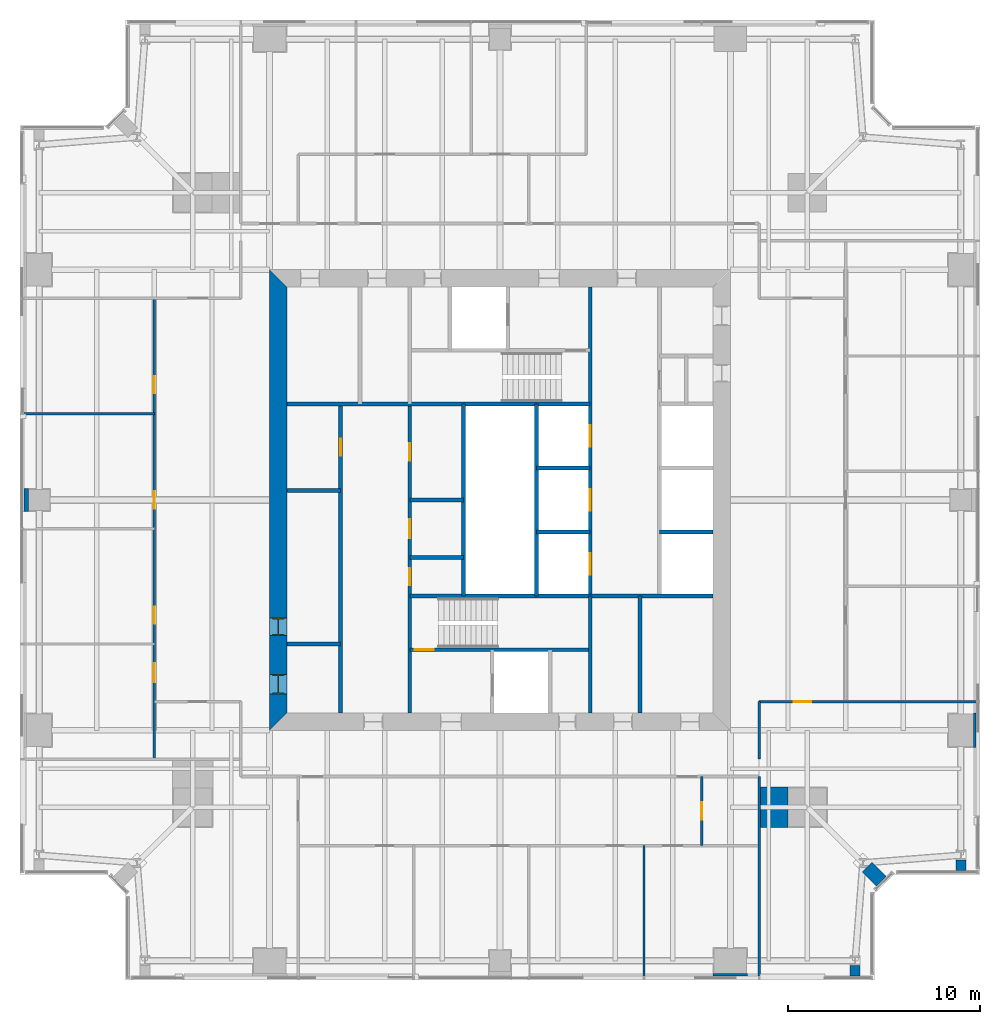
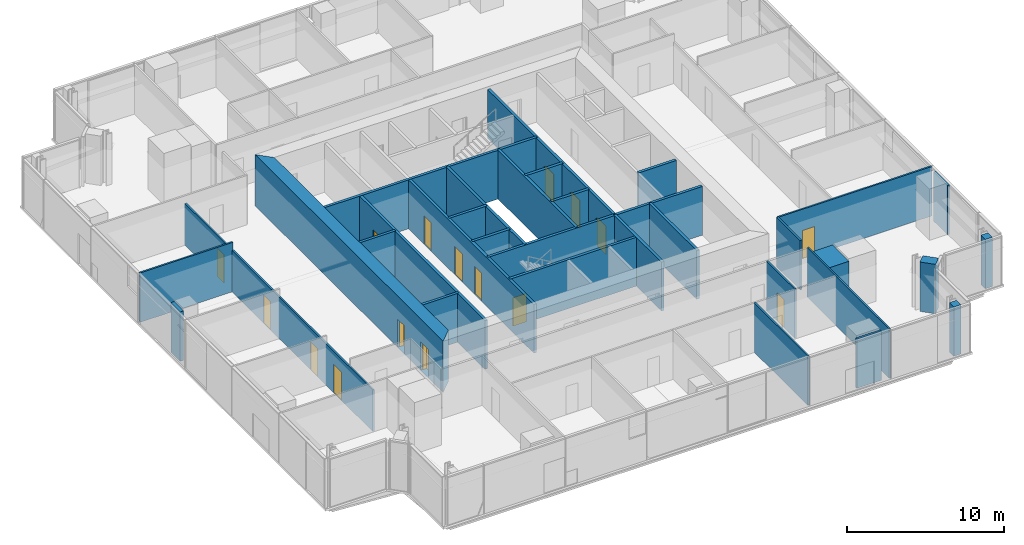
# One storey, part 10 of 14: 32 walls, 16 doors, 16 openings.
"""IFC4 building model written with IfcOpenShell, lengths in metres."""

from ifc_helpers import new_model, si_unit, direction, frame, frame_2d, origin, place, context, subcontext, project, spatial, polyline, rectangle, outline, extrude, material, layer, layer_set, type_object, element, fill, save


model = new_model("IFC4")

# Units and contexts
model_context = context("Model", 3, precision=1e-05, world=origin(), true_north=direction((0.0, 1.0)))
body_context = subcontext(model_context, "Body", "Model", "MODEL_VIEW")
ifc_project = project(units=[si_unit("LENGTHUNIT", "METRE"), si_unit("AREAUNIT", "SQUARE_METRE"), si_unit("VOLUMEUNIT", "CUBIC_METRE"), si_unit("PLANEANGLEUNIT", "RADIAN"), si_unit("MASSUNIT", "GRAM", prefix="KILO")], contexts=[model_context])

# Site, building, storey
site_placement = place(None, origin())
site = spatial("IfcSite", under=ifc_project, at=site_placement, CompositionType="ELEMENT")
building_placement = place(site_placement, origin())
building = spatial("IfcBuilding", under=site, at=building_placement, Name="Fenwick Lantern Interchange", CompositionType="ELEMENT")
storey_placement = place(building_placement, frame((0.0, 0.0, 225.800048828125)))
storey = spatial("IfcBuildingStorey", under=building, at=storey_placement, Name="L53", CompositionType="ELEMENT", Elevation=225.800048828125)

# Walls
ifc_material_1 = material(Name="Fire-rated gypsum board encasement on steel studs, 2 hour", Category="steel")
ifc_layer_1 = layer(ifc_material_1, 1.199951171875)
ifc_layer_set_1 = layer_set([ifc_layer_1], Name="COLUMN PIER 1200")
wall_type_1 = type_object("IfcWallType", Name="COLUMN PIER 1200", PredefinedType="PARTITIONING", material=ifc_layer_set_1)
wall_1_placement = place(storey_placement, frame((0.199951171875, 25.0, 0.0), z_axis=(0.0, 0.0, 1.0), x_axis=(1.0, 0.0, 0.0)))
element("IfcWall", 1, at=wall_1_placement, inside=storey, type_object=wall_type_1, Name="L53/W/PIER/CW3", PredefinedType="PARTITIONING", context=body_context, shape_type="SweptSolid", body=[
    extrude(rectangle(XDim=0.25, YDim=1.199951171875, at=frame_2d((0.125, 0.0))), origin(), (0.0, 0.0, 1.0), 3.849853515625),
])
ifc_layer_2 = layer(ifc_material_1, 1.800048828125)
ifc_layer_set_2 = layer_set([ifc_layer_2], Name="COLUMN PIER 1800")
wall_type_2 = type_object("IfcWallType", Name="COLUMN PIER 1800", PredefinedType="PARTITIONING", material=ifc_layer_set_2)
for number, where, z_axis, x_axis, name in (
    (2, (37.0, 0.199951171875, 0.0), (0.0, 0.0, 1.0), (0.0, 1.0, 0.0), "L53/W/PIER/CS4"),
    (3, (49.800048828125, 13.0, 0.0), (0.0, 0.0, 1.0), (-1.0, 0.0, 0.0), "L53/W/PIER/CE2"),
):
    element("IfcWall", number, at=place(storey_placement, frame(where, z_axis=z_axis, x_axis=x_axis)), inside=storey, type_object=wall_type_2, Name=name, PredefinedType="PARTITIONING", context=body_context, shape_type="SweptSolid", body=[
        extrude(rectangle(XDim=0.150146484375, YDim=1.800048828125, at=frame_2d((0.0751953125, 0.0))), origin(), (0.0, 0.0, 1.0), 3.849853515625),
    ])
ifc_layer_3 = layer(ifc_material_1, 2.10009765625)
ifc_layer_set_3 = layer_set([ifc_layer_3], Name="COLUMN PIER 2100")
wall_type_3 = type_object("IfcWallType", Name="COLUMN PIER 2100", PredefinedType="PARTITIONING", material=ifc_layer_set_3)
wall_2_placement = place(storey_placement, frame((38.5625, 9.0, 0.0), z_axis=(0.0, 0.0, 1.0), x_axis=(1.0, 0.0, 0.0)))
element("IfcWall", 4, at=wall_2_placement, inside=storey, type_object=wall_type_3, Name="L53/W/PIER/M2", PredefinedType="PARTITIONING", context=body_context, shape_type="SweptSolid", body=[
    extrude(rectangle(XDim=1.4375, YDim=2.10009765625, at=frame_2d((0.71875, 0.0))), origin(), (0.0, 0.0, 1.0), 3.849853515625),
])
ifc_layer_4 = layer(ifc_material_1, 0.52392578125)
ifc_layer_set_4 = layer_set([ifc_layer_4], Name="COLUMN PIER 524")
wall_type_4 = type_object("IfcWallType", Name="COLUMN PIER 524", PredefinedType="PARTITIONING", material=ifc_layer_set_4)
for number, where, z_axis, x_axis, name in (
    (5, (43.5, 0.199951171875, 0.0), (0.0, 0.0, 1.0), (0.0, 1.0, 0.0), "L53/W/PIER/CS5"),
    (6, (49.0, 5.699951171875, 0.0), (0.0, 0.0, 1.0), (0.0, 1.0, 0.0), "L53/W/PIER/CE1"),
):
    element("IfcWall", number, at=place(storey_placement, frame(where, z_axis=z_axis, x_axis=x_axis)), inside=storey, type_object=wall_type_4, Name=name, PredefinedType="PARTITIONING", context=body_context, shape_type="SweptSolid", body=[
        extrude(rectangle(XDim=0.5625, YDim=0.52392578125, at=frame_2d((0.28125, 0.0))), origin(), (0.0, 0.0, 1.0), 3.849853515625),
    ])
ifc_layer_5 = layer(ifc_material_1, 0.736083984375)
ifc_layer_set_5 = layer_set([ifc_layer_5], Name="COLUMN PIER 736")
wall_type_5 = type_object("IfcWallType", Name="COLUMN PIER 736", PredefinedType="PARTITIONING", material=ifc_layer_set_5)
wall_3_placement = place(storey_placement, frame((44.858642578125, 5.141357421875, 0.0), z_axis=(0.0, 0.0, 1.0), x_axis=(-0.707106781187, 0.707106781187, 0.0)))
element("IfcWall", 7, at=wall_3_placement, inside=storey, type_object=wall_type_5, Name="L53/W/PIER/CSR", PredefinedType="PARTITIONING", context=body_context, shape_type="SweptSolid", body=[
    extrude(rectangle(XDim=1.037841796875, YDim=0.736083984375, at=frame_2d((0.51904296875, 0.0))), origin(), (0.0, 0.0, 1.0), 3.849853515625),
])

# Wall, opening, door
ifc_material_2 = material(Name="Concrete masonry ASTM C90 Grade N", Category="masonry")
ifc_layer_6 = layer(ifc_material_2, 0.199951171875)
ifc_layer_set_6 = layer_set([ifc_layer_6], Name="Concrete masonry ASTM C90 Grade N")
wall_type_6 = type_object("IfcWallType", Name="CORE PARTITION 200", PredefinedType="PARTITIONING", material=ifc_layer_set_6)
wall_4_placement = place(storey_placement, frame((16.699951171875, 13.89990234375, 0.0), z_axis=(0.0, 0.0, 1.0), x_axis=(0.0, 1.0, 0.0)))
wall_4 = element("IfcWall", 8, at=wall_4_placement, inside=storey, type_object=wall_type_6, Name="L53/W/CORES/a", PredefinedType="PARTITIONING", context=body_context, shape_type="SweptSolid", body=[
    extrude(rectangle(XDim=16.10009765625, YDim=0.199951171875, at=frame_2d((8.050048828125, 0.0))), origin(), (0.0, 0.0, 1.0), 3.800048828125),
])
opening_1_placement = place(wall_4_placement, frame((13.39990234375, 0.0, 0.0)))
opening_1 = element("IfcOpeningElement", 9, at=opening_1_placement, cuts=wall_4, Name="Opening L53-D009", PredefinedType="OPENING", context=body_context, shape_type="SweptSolid", body=[
    extrude(rectangle(XDim=0.89990234375, YDim=2.199951171875, at=frame_2d((0.449951171875, 1.10009765625))), frame((0.0, 0.10986328125, 0.0), z_axis=(0.0, -1.0, 0.0), x_axis=(1.0, 0.0, 0.0)), (0.0, 0.0, 1.0), 0.219970703125),
])
ifc_material_3 = material(Name="Steel door and frame", Category="steel")
door_type_1 = type_object("IfcDoorType", Name="SERVICE DOOR 900 X 2200", OperationType="SINGLE_SWING_LEFT", PredefinedType="DOOR", material=ifc_material_3)
door_1_placement = place(opening_1_placement, origin())
door_1 = element("IfcDoor", 10, at=door_1_placement, inside=storey, type_object=door_type_1, Name="Service door", OperationType="SINGLE_SWING_LEFT", OverallHeight=2.199951171875, OverallWidth=0.89990234375, PredefinedType="DOOR", context=body_context, shape_type="SweptSolid", body=[
    extrude(rectangle(XDim=0.89990234375, YDim=2.199951171875, at=frame_2d((0.449951171875, 1.10009765625))), frame((0.0, 0.02490234375, 0.0), z_axis=(0.0, -1.0, 0.0), x_axis=(1.0, 0.0, 0.0)), (0.0, 0.0, 1.0), 0.050048828125),
])
fill(opening_1, door_1)

# Walls
wall_5_placement = place(storey_placement, frame((23.10009765625, 20.0, 0.0), z_axis=(0.0, 0.0, 1.0), x_axis=(0.0, 1.0, 0.0)))
element("IfcWall", 11, at=wall_5_placement, inside=storey, type_object=wall_type_6, Name="L53/W/CORES/e3", PredefinedType="PARTITIONING", context=body_context, shape_type="SweptSolid", body=[
    extrude(rectangle(XDim=10.0, YDim=0.199951171875, at=frame_2d((5.0, 0.0))), origin(), (0.0, 0.0, 1.0), 3.800048828125),
])
wall_6_placement = place(storey_placement, frame((32.300048828125, 13.89990234375, 0.0), z_axis=(0.0, 0.0, 1.0), x_axis=(0.0, 1.0, 0.0)))
element("IfcWall", 12, at=wall_6_placement, inside=storey, type_object=wall_type_6, Name="L53/W/CORES/i2", PredefinedType="PARTITIONING", context=body_context, shape_type="SweptSolid", body=[
    extrude(rectangle(XDim=6.10009765625, YDim=0.199951171875, at=frame_2d((3.050048828125, 0.0))), origin(), (0.0, 0.0, 1.0), 3.800048828125),
])
for number, where, z_axis, x_axis, name in (
    (13, (13.89990234375, 17.5, 0.0), (0.0, 0.0, 1.0), (1.0, 0.0, 0.0), "L53/W/CORES/p1"),
    (14, (13.89990234375, 25.5, 0.0), (0.0, 0.0, 1.0), (1.0, 0.0, 0.0), "L53/W/CORES/p2"),
    (15, (20.300048828125, 22.0, 0.0), (0.0, 0.0, 1.0), (1.0, 0.0, 0.0), "L53/W/CORES/q1"),
    (16, (20.300048828125, 25.0, 0.0), (0.0, 0.0, 1.0), (1.0, 0.0, 0.0), "L53/W/CORES/q2"),
    (17, (36.10009765625, 23.333251953125, 0.0), (0.0, 0.0, 1.0), (-1.0, 0.0, 0.0), "L53/W/COREN/d2"),
    (18, (29.699951171875, 26.666748046875, 0.0), (0.0, 0.0, 1.0), (-1.0, 0.0, 0.0), "L53/W/COREN/e1"),
    (19, (29.699951171875, 23.333251953125, 0.0), (0.0, 0.0, 1.0), (-1.0, 0.0, 0.0), "L53/W/COREN/e2"),
):
    element("IfcWall", number, at=place(storey_placement, frame(where, z_axis=z_axis, x_axis=x_axis)), inside=storey, type_object=wall_type_6, Name=name, PredefinedType="PARTITIONING", context=body_context, shape_type="SweptSolid", body=[
        extrude(rectangle(XDim=2.800048828125, YDim=0.199951171875, at=frame_2d((1.39990234375, 0.0))), origin(), (0.0, 0.0, 1.0), 3.800048828125),
    ])
wall_7_placement = place(storey_placement, frame((26.89990234375, 30.0, 0.0), z_axis=(0.0, 0.0, 1.0), x_axis=(0.0, -1.0, 0.0)))
element("IfcWall", 20, at=wall_7_placement, inside=storey, type_object=wall_type_6, Name="L53/W/COREN/e3", PredefinedType="PARTITIONING", context=body_context, shape_type="SweptSolid", body=[
    extrude(rectangle(XDim=10.0, YDim=0.199951171875, at=frame_2d((5.0, 0.0))), origin(), (0.0, 0.0, 1.0), 3.800048828125),
])

# Wall, openings, doors
ifc_material_4 = material(Name="Concrete f'c 70 MPa", Category="concrete")
ifc_layer_7 = layer(ifc_material_4, 0.89990234375)
ifc_layer_set_7 = layer_set([ifc_layer_7], Name="CORE WALL 900")
wall_type_7 = type_object("IfcWallType", Name="CORE WALL 900", PredefinedType="SHEAR", material=ifc_layer_set_7)
wall_8_placement = place(storey_placement, frame((13.449951171875, 36.10009765625, 0.0), z_axis=(0.0, 0.0, 1.0), x_axis=(0.0, -1.0, 0.0)))
wall_8 = element("IfcWall", 21, at=wall_8_placement, inside=storey, type_object=wall_type_7, Name="L53/CORE/W", PredefinedType="SHEAR", context=body_context, shape_type="SweptSolid", body=[
    extrude(outline(polyline([(-0.89990234375, -0.449951171875), (23.10009765625, -0.449951171875), (22.199951171875, 0.449951171875), (0.0, 0.449951171875), (-0.89990234375, -0.449951171875)])), origin(), (0.0, 0.0, 1.0), 4.0),
])
opening_2_placement = place(wall_8_placement, frame((20.199951171875, 0.0, 0.0)))
opening_2 = element("IfcOpeningElement", 22, at=opening_2_placement, cuts=wall_8, Name="Opening L53-D007", PredefinedType="OPENING", context=body_context, shape_type="SweptSolid", body=[
    extrude(rectangle(XDim=1.0, YDim=2.199951171875, at=frame_2d((0.5, 1.10009765625))), frame((0.0, 0.4599609375, 0.0), z_axis=(0.0, -1.0, 0.0), x_axis=(1.0, 0.0, 0.0)), (0.0, 0.0, 1.0), 0.919921875),
])
opening_3_placement = place(wall_8_placement, frame((17.25, 0.0, 0.0)))
opening_3 = element("IfcOpeningElement", 23, at=opening_3_placement, cuts=wall_8, Name="Opening L53-D008", PredefinedType="OPENING", context=body_context, shape_type="SweptSolid", body=[
    extrude(rectangle(XDim=0.89990234375, YDim=2.199951171875, at=frame_2d((0.449951171875, 1.10009765625))), frame((0.0, 0.4599609375, 0.0), z_axis=(0.0, -1.0, 0.0), x_axis=(1.0, 0.0, 0.0)), (0.0, 0.0, 1.0), 0.919921875),
])
door_2_placement = place(opening_3_placement, origin())
door_2 = element("IfcDoor", 24, at=door_2_placement, inside=storey, type_object=door_type_1, Name="Service door", OperationType="SINGLE_SWING_RIGHT", OverallHeight=2.199951171875, OverallWidth=0.89990234375, PredefinedType="DOOR", context=body_context, shape_type="SweptSolid", body=[
    extrude(rectangle(XDim=0.89990234375, YDim=2.199951171875, at=frame_2d((0.449951171875, 1.10009765625))), frame((0.0, 0.02490234375, 0.0), z_axis=(0.0, -1.0, 0.0), x_axis=(1.0, 0.0, 0.0)), (0.0, 0.0, 1.0), 0.050048828125),
    extrude(outline(polyline([(0.0, 0.0), (0.0400390625, 0.0), (0.0400390625, 2.159912109375), (0.85986328125, 2.159912109375), (0.85986328125, 0.0), (0.89990234375, 0.0), (0.89990234375, 2.199951171875), (0.0, 2.199951171875), (0.0, 0.0)])), frame((0.0, 0.300048828125, 0.0), z_axis=(0.0, -1.0, 0.0), x_axis=(1.0, 0.0, 0.0)), (0.0, 0.0, 1.0), 0.60009765625),
])
fill(opening_3, door_2)
ifc_material_5 = material(Name="Hardwood door and steel frame", Category="steel")
door_type_2 = type_object("IfcDoorType", Name="WC DOOR 1000 X 2200", OperationType="SINGLE_SWING_LEFT", PredefinedType="DOOR", material=ifc_material_5)
door_3_placement = place(opening_2_placement, origin())
door_3 = element("IfcDoor", 25, at=door_3_placement, inside=storey, type_object=door_type_2, Name="Wc door", OperationType="SINGLE_SWING_RIGHT", OverallHeight=2.199951171875, OverallWidth=1.0, PredefinedType="DOOR", context=body_context, shape_type="SweptSolid", body=[
    extrude(rectangle(XDim=1.0, YDim=2.199951171875, at=frame_2d((0.5, 1.10009765625))), frame((0.0, 0.02490234375, 0.0), z_axis=(0.0, -1.0, 0.0), x_axis=(1.0, 0.0, 0.0)), (0.0, 0.0, 1.0), 0.050048828125),
    extrude(outline(polyline([(0.0, 0.0), (0.0400390625, 0.0), (0.0400390625, 2.159912109375), (0.9599609375, 2.159912109375), (0.9599609375, 0.0), (1.0, 0.0), (1.0, 2.199951171875), (0.0, 2.199951171875), (0.0, 0.0)])), frame((0.0, 0.300048828125, 0.0), z_axis=(0.0, -1.0, 0.0), x_axis=(1.0, 0.0, 0.0)), (0.0, 0.0, 1.0), 0.60009765625),
])
fill(opening_2, door_3)

# Wall
ifc_material_6 = material(Name="Gypsum board on steel studs, acoustic", Category="steel")
ifc_layer_8 = layer(ifc_material_6, 0.125)
ifc_layer_set_8 = layer_set([ifc_layer_8], Name="OFFICE PARTITION 125")
wall_type_8 = type_object("IfcWallType", Name="OFFICE PARTITION 125", PredefinedType="PARTITIONING", material=ifc_layer_set_8)
wall_9_placement = place(storey_placement, frame((32.5, 0.14990234375, 0.0), z_axis=(0.0, 0.0, 1.0), x_axis=(0.0, 1.0, 0.0)))
element("IfcWall", 26, at=wall_9_placement, inside=storey, type_object=wall_type_8, Name="L53/W/OFF/S/X325-1", PredefinedType="PARTITIONING", context=body_context, shape_type="SweptSolid", body=[
    extrude(rectangle(XDim=6.85009765625, YDim=0.125, at=frame_2d((3.425048828125, 0.0))), origin(), (0.0, 0.0, 1.0), 3.849853515625),
])

# Wall, opening, door
wall_10_placement = place(storey_placement, frame((35.5, 7.0, 0.0), z_axis=(0.0, 0.0, 1.0), x_axis=(0.0, 1.0, 0.0)))
wall_10 = element("IfcWall", 27, at=wall_10_placement, inside=storey, type_object=wall_type_8, Name="L53/W/OFF/S/X355-1", PredefinedType="PARTITIONING", context=body_context, shape_type="SweptSolid", body=[
    extrude(rectangle(XDim=3.60009765625, YDim=0.125, at=frame_2d((1.800048828125, 0.0))), origin(), (0.0, 0.0, 1.0), 3.849853515625),
])
opening_4_placement = place(wall_10_placement, frame((1.35009765625, 0.0, 0.0)))
opening_4 = element("IfcOpeningElement", 28, at=opening_4_placement, cuts=wall_10, Name="Opening L53-D029", PredefinedType="OPENING", context=body_context, shape_type="SweptSolid", body=[
    extrude(rectangle(XDim=0.89990234375, YDim=2.199951171875, at=frame_2d((0.449951171875, 1.10009765625))), frame((0.0, 0.072509765625, 0.0), z_axis=(0.0, -1.0, 0.0), x_axis=(1.0, 0.0, 0.0)), (0.0, 0.0, 1.0), 0.14501953125),
])
door_type_3 = type_object("IfcDoorType", Name="OFFICE DOOR 900 X 2200", OperationType="SINGLE_SWING_LEFT", PredefinedType="DOOR", material=ifc_material_5)
door_4_placement = place(opening_4_placement, frame((0.89990234375, 0.0, 0.0), z_axis=(0.0, 0.0, 1.0), x_axis=(-1.0, 0.0, 0.0)))
door_4 = element("IfcDoor", 29, at=door_4_placement, inside=storey, type_object=door_type_3, Name="Office door", OperationType="SINGLE_SWING_RIGHT", OverallHeight=2.199951171875, OverallWidth=0.89990234375, PredefinedType="DOOR", context=body_context, shape_type="SweptSolid", body=[
    extrude(rectangle(XDim=0.89990234375, YDim=2.199951171875, at=frame_2d((0.449951171875, 1.10009765625))), frame((0.0, 0.02490234375, 0.0), z_axis=(0.0, -1.0, 0.0), x_axis=(1.0, 0.0, 0.0)), (0.0, 0.0, 1.0), 0.050048828125),
])
fill(opening_4, door_4)

# Wall
wall_11_placement = place(storey_placement, frame((38.5, 0.14990234375, 0.0), z_axis=(0.0, 0.0, 1.0), x_axis=(0.0, 1.0, 0.0)))
element("IfcWall", 30, at=wall_11_placement, inside=storey, type_object=wall_type_8, Name="L53/W/OFF/E/BACK", PredefinedType="PARTITIONING", context=body_context, shape_type="SweptSolid", body=[
    extrude(rectangle(XDim=10.4501953125, YDim=0.125, at=frame_2d((5.22509765625, 0.0))), origin(), (0.0, 0.0, 1.0), 3.849853515625),
])

# Wall, opening, door
wall_12_placement = place(storey_placement, frame((49.85009765625, 14.5, 0.0), z_axis=(0.0, 0.0, 1.0), x_axis=(-1.0, 0.0, 0.0)))
wall_12 = element("IfcWall", 31, at=wall_12_placement, inside=storey, type_object=wall_type_8, Name="L53/W/OFF/E/X145-1", PredefinedType="PARTITIONING", context=body_context, shape_type="SweptSolid", body=[
    extrude(rectangle(XDim=11.35009765625, YDim=0.125, at=frame_2d((5.675048828125, 0.0))), origin(), (0.0, 0.0, 1.0), 3.849853515625),
])
opening_5_placement = place(wall_12_placement, frame((8.64990234375, 0.0, 0.0)))
opening_5 = element("IfcOpeningElement", 32, at=opening_5_placement, cuts=wall_12, Name="Opening L53-D030", PredefinedType="OPENING", context=body_context, shape_type="SweptSolid", body=[
    extrude(rectangle(XDim=0.89990234375, YDim=2.199951171875, at=frame_2d((0.449951171875, 1.10009765625))), frame((0.0, 0.072509765625, 0.0), z_axis=(0.0, -1.0, 0.0), x_axis=(1.0, 0.0, 0.0)), (0.0, 0.0, 1.0), 0.14501953125),
])
door_5_placement = place(opening_5_placement, origin())
door_5 = element("IfcDoor", 33, at=door_5_placement, inside=storey, type_object=door_type_3, Name="Office door", OperationType="SINGLE_SWING_RIGHT", OverallHeight=2.199951171875, OverallWidth=0.89990234375, PredefinedType="DOOR", context=body_context, shape_type="SweptSolid", body=[
    extrude(rectangle(XDim=0.89990234375, YDim=2.199951171875, at=frame_2d((0.449951171875, 1.10009765625))), frame((0.0, 0.02490234375, 0.0), z_axis=(0.0, -1.0, 0.0), x_axis=(1.0, 0.0, 0.0)), (0.0, 0.0, 1.0), 0.050048828125),
])
fill(opening_5, door_5)

# Walls
wall_13_placement = place(storey_placement, frame((38.5, 11.5, 0.0), z_axis=(0.0, 0.0, 1.0), x_axis=(0.0, 1.0, 0.0)))
element("IfcWall", 34, at=wall_13_placement, inside=storey, type_object=wall_type_8, Name="L53/W/OFF/E/CWS1", PredefinedType="PARTITIONING", context=body_context, shape_type="SweptSolid", body=[
    extrude(rectangle(XDim=3.0, YDim=0.125, at=frame_2d((1.5, 0.0))), origin(), (0.0, 0.0, 1.0), 3.849853515625),
])
wall_14_placement = place(storey_placement, frame((0.14990234375, 29.5, 0.0), z_axis=(0.0, 0.0, 1.0), x_axis=(1.0, 0.0, 0.0)))
element("IfcWall", 35, at=wall_14_placement, inside=storey, type_object=wall_type_8, Name="L53/W/OFF/W/X205-1", PredefinedType="PARTITIONING", context=body_context, shape_type="SweptSolid", body=[
    extrude(rectangle(XDim=6.85009765625, YDim=0.125, at=frame_2d((3.425048828125, 0.0))), origin(), (0.0, 0.0, 1.0), 3.849853515625),
])

# Wall, openings, doors
wall_15_placement = place(storey_placement, frame((7.0, 35.5, 0.0), z_axis=(0.0, 0.0, 1.0), x_axis=(0.0, -1.0, 0.0)))
wall_15 = element("IfcWall", 36, at=wall_15_placement, inside=storey, type_object=wall_type_8, Name="L53/W/OFF/W/Y70-1", PredefinedType="PARTITIONING", context=body_context, shape_type="SweptSolid", body=[
    extrude(rectangle(XDim=24.0, YDim=0.125, at=frame_2d((12.0, 0.0))), origin(), (0.0, 0.0, 1.0), 3.23779296875),
])
opening_6_placement = place(wall_15_placement, frame((4.050048828125, 0.0, 0.0)))
opening_6 = element("IfcOpeningElement", 37, at=opening_6_placement, cuts=wall_15, Name="Opening L53-D045", PredefinedType="OPENING", context=body_context, shape_type="SweptSolid", body=[
    extrude(rectangle(XDim=0.89990234375, YDim=2.199951171875, at=frame_2d((0.449951171875, 1.10009765625))), frame((0.0, 0.072509765625, 0.0), z_axis=(0.0, -1.0, 0.0), x_axis=(1.0, 0.0, 0.0)), (0.0, 0.0, 1.0), 0.14501953125),
])
opening_7_placement = place(wall_15_placement, frame((10.050048828125, 0.0, 0.0)))
opening_7 = element("IfcOpeningElement", 38, at=opening_7_placement, cuts=wall_15, Name="Opening L53-D046", PredefinedType="OPENING", context=body_context, shape_type="SweptSolid", body=[
    extrude(rectangle(XDim=0.89990234375, YDim=2.199951171875, at=frame_2d((0.449951171875, 1.10009765625))), frame((0.0, 0.072509765625, 0.0), z_axis=(0.0, -1.0, 0.0), x_axis=(1.0, 0.0, 0.0)), (0.0, 0.0, 1.0), 0.14501953125),
])
opening_8_placement = place(wall_15_placement, frame((16.050048828125, 0.0, 0.0)))
opening_8 = element("IfcOpeningElement", 39, at=opening_8_placement, cuts=wall_15, Name="Opening L53-D047", PredefinedType="OPENING", context=body_context, shape_type="SweptSolid", body=[
    extrude(rectangle(XDim=0.89990234375, YDim=2.199951171875, at=frame_2d((0.449951171875, 1.10009765625))), frame((0.0, 0.072509765625, 0.0), z_axis=(0.0, -1.0, 0.0), x_axis=(1.0, 0.0, 0.0)), (0.0, 0.0, 1.0), 0.14501953125),
])
opening_9_placement = place(wall_15_placement, frame((19.0, 0.0, 0.0)))
opening_9 = element("IfcOpeningElement", 40, at=opening_9_placement, cuts=wall_15, Name="Opening L53-D048", PredefinedType="OPENING", context=body_context, shape_type="SweptSolid", body=[
    extrude(rectangle(XDim=1.0, YDim=2.199951171875, at=frame_2d((0.5, 1.10009765625))), frame((0.0, 0.072509765625, 0.0), z_axis=(0.0, -1.0, 0.0), x_axis=(1.0, 0.0, 0.0)), (0.0, 0.0, 1.0), 0.14501953125),
])
door_type_4 = type_object("IfcDoorType", Name="MEETING ROOM DOOR 1000 X 2200", OperationType="SINGLE_SWING_LEFT", PredefinedType="DOOR", material=ifc_material_5)
door_6_placement = place(opening_9_placement, frame((1.0, 0.0, 0.0), z_axis=(0.0, 0.0, 1.0), x_axis=(-1.0, 0.0, 0.0)))
door_6 = element("IfcDoor", 41, at=door_6_placement, inside=storey, type_object=door_type_4, Name="Meeting room door", OperationType="SINGLE_SWING_RIGHT", OverallHeight=2.199951171875, OverallWidth=1.0, PredefinedType="DOOR", context=body_context, shape_type="SweptSolid", body=[
    extrude(rectangle(XDim=1.0, YDim=2.199951171875, at=frame_2d((0.5, 1.10009765625))), frame((0.0, 0.02490234375, 0.0), z_axis=(0.0, -1.0, 0.0), x_axis=(1.0, 0.0, 0.0)), (0.0, 0.0, 1.0), 0.050048828125),
])
fill(opening_9, door_6)
door_7_placement = place(opening_6_placement, frame((0.89990234375, 0.0, 0.0), z_axis=(0.0, 0.0, 1.0), x_axis=(-1.0, 0.0, 0.0)))
door_7 = element("IfcDoor", 42, at=door_7_placement, inside=storey, type_object=door_type_3, Name="Office door", OperationType="SINGLE_SWING_LEFT", OverallHeight=2.199951171875, OverallWidth=0.89990234375, PredefinedType="DOOR", context=body_context, shape_type="SweptSolid", body=[
    extrude(rectangle(XDim=0.89990234375, YDim=2.199951171875, at=frame_2d((0.449951171875, 1.10009765625))), frame((0.0, 0.02490234375, 0.0), z_axis=(0.0, -1.0, 0.0), x_axis=(1.0, 0.0, 0.0)), (0.0, 0.0, 1.0), 0.050048828125),
])
fill(opening_6, door_7)
door_8_placement = place(opening_7_placement, frame((0.89990234375, 0.0, 0.0), z_axis=(0.0, 0.0, 1.0), x_axis=(-1.0, 0.0, 0.0)))
door_8 = element("IfcDoor", 43, at=door_8_placement, inside=storey, type_object=door_type_3, Name="Office door", OperationType="SINGLE_SWING_LEFT", OverallHeight=2.199951171875, OverallWidth=0.89990234375, PredefinedType="DOOR", context=body_context, shape_type="SweptSolid", body=[
    extrude(rectangle(XDim=0.89990234375, YDim=2.199951171875, at=frame_2d((0.449951171875, 1.10009765625))), frame((0.0, 0.02490234375, 0.0), z_axis=(0.0, -1.0, 0.0), x_axis=(1.0, 0.0, 0.0)), (0.0, 0.0, 1.0), 0.050048828125),
])
fill(opening_7, door_8)
door_9_placement = place(opening_8_placement, frame((0.89990234375, 0.0, 0.0), z_axis=(0.0, 0.0, 1.0), x_axis=(-1.0, 0.0, 0.0)))
door_9 = element("IfcDoor", 44, at=door_9_placement, inside=storey, type_object=door_type_3, Name="Office door", OperationType="SINGLE_SWING_LEFT", OverallHeight=2.199951171875, OverallWidth=0.89990234375, PredefinedType="DOOR", context=body_context, shape_type="SweptSolid", body=[
    extrude(rectangle(XDim=0.89990234375, YDim=2.199951171875, at=frame_2d((0.449951171875, 1.10009765625))), frame((0.0, 0.02490234375, 0.0), z_axis=(0.0, -1.0, 0.0), x_axis=(1.0, 0.0, 0.0)), (0.0, 0.0, 1.0), 0.050048828125),
])
fill(opening_8, door_9)

ifc_material_7 = material(Name="Concrete f'c 45 MPa", Category="concrete")
ifc_layer_9 = layer(ifc_material_7, 0.199951171875)
ifc_layer_set_9 = layer_set([ifc_layer_9], Name="STAIR CORE WALL 200")
wall_type_9 = type_object("IfcWallType", Name="STAIR CORE WALL 200", PredefinedType="SOLIDWALL", material=ifc_layer_set_9)
wall_16_placement = place(storey_placement, frame((20.300048828125, 13.89990234375, 0.0), z_axis=(0.0, 0.0, 1.0), x_axis=(0.0, 1.0, 0.0)))
wall_16 = element("IfcWall", 45, at=wall_16_placement, inside=storey, type_object=wall_type_9, Name="L53/W/CORES/b", PredefinedType="SOLIDWALL", context=body_context, shape_type="SweptSolid", body=[
    extrude(rectangle(XDim=16.10009765625, YDim=0.199951171875, at=frame_2d((8.050048828125, 0.0))), origin(), (0.0, 0.0, 1.0), 3.800048828125),
])
opening_10_placement = place(wall_16_placement, frame((6.64990234375, 0.0, 0.0)))
opening_10 = element("IfcOpeningElement", 46, at=opening_10_placement, cuts=wall_16, Name="Opening L53-D010", PredefinedType="OPENING", context=body_context, shape_type="SweptSolid", body=[
    extrude(rectangle(XDim=0.89990234375, YDim=2.199951171875, at=frame_2d((0.449951171875, 1.10009765625))), frame((0.0, 0.10986328125, 0.0), z_axis=(0.0, -1.0, 0.0), x_axis=(1.0, 0.0, 0.0)), (0.0, 0.0, 1.0), 0.219970703125),
])
opening_11_placement = place(wall_16_placement, frame((9.10009765625, 0.0, 0.0)))
opening_11 = element("IfcOpeningElement", 47, at=opening_11_placement, cuts=wall_16, Name="Opening L53-D011", PredefinedType="OPENING", context=body_context, shape_type="SweptSolid", body=[
    extrude(rectangle(XDim=1.0, YDim=2.199951171875, at=frame_2d((0.5, 1.10009765625))), frame((0.0, 0.10986328125, 0.0), z_axis=(0.0, -1.0, 0.0), x_axis=(1.0, 0.0, 0.0)), (0.0, 0.0, 1.0), 0.219970703125),
])
opening_12_placement = place(wall_16_placement, frame((13.14990234375, 0.0, 0.0)))
opening_12 = element("IfcOpeningElement", 48, at=opening_12_placement, cuts=wall_16, Name="Opening L53-D012", PredefinedType="OPENING", context=body_context, shape_type="SweptSolid", body=[
    extrude(rectangle(XDim=0.89990234375, YDim=2.199951171875, at=frame_2d((0.449951171875, 1.10009765625))), frame((0.0, 0.10986328125, 0.0), z_axis=(0.0, -1.0, 0.0), x_axis=(1.0, 0.0, 0.0)), (0.0, 0.0, 1.0), 0.219970703125),
])
door_10_placement = place(opening_10_placement, frame((0.89990234375, 0.0, 0.0), z_axis=(0.0, 0.0, 1.0), x_axis=(-1.0, 0.0, 0.0)))
door_10 = element("IfcDoor", 49, at=door_10_placement, inside=storey, type_object=door_type_1, Name="Service door", OperationType="SINGLE_SWING_RIGHT", OverallHeight=2.199951171875, OverallWidth=0.89990234375, PredefinedType="DOOR", context=body_context, shape_type="SweptSolid", body=[
    extrude(rectangle(XDim=0.89990234375, YDim=2.199951171875, at=frame_2d((0.449951171875, 1.10009765625))), frame((0.0, 0.02490234375, 0.0), z_axis=(0.0, -1.0, 0.0), x_axis=(1.0, 0.0, 0.0)), (0.0, 0.0, 1.0), 0.050048828125),
])
fill(opening_10, door_10)
door_11_placement = place(opening_12_placement, frame((0.89990234375, 0.0, 0.0), z_axis=(0.0, 0.0, 1.0), x_axis=(-1.0, 0.0, 0.0)))
door_11 = element("IfcDoor", 50, at=door_11_placement, inside=storey, type_object=door_type_1, Name="Service door", OperationType="SINGLE_SWING_RIGHT", OverallHeight=2.199951171875, OverallWidth=0.89990234375, PredefinedType="DOOR", context=body_context, shape_type="SweptSolid", body=[
    extrude(rectangle(XDim=0.89990234375, YDim=2.199951171875, at=frame_2d((0.449951171875, 1.10009765625))), frame((0.0, 0.02490234375, 0.0), z_axis=(0.0, -1.0, 0.0), x_axis=(1.0, 0.0, 0.0)), (0.0, 0.0, 1.0), 0.050048828125),
])
fill(opening_12, door_11)
door_12_placement = place(opening_11_placement, frame((1.0, 0.0, 0.0), z_axis=(0.0, 0.0, 1.0), x_axis=(-1.0, 0.0, 0.0)))
door_12 = element("IfcDoor", 51, at=door_12_placement, inside=storey, type_object=door_type_2, Name="Wc door", OperationType="SINGLE_SWING_RIGHT", OverallHeight=2.199951171875, OverallWidth=1.0, PredefinedType="DOOR", context=body_context, shape_type="SweptSolid", body=[
    extrude(rectangle(XDim=1.0, YDim=2.199951171875, at=frame_2d((0.5, 1.10009765625))), frame((0.0, 0.02490234375, 0.0), z_axis=(0.0, -1.0, 0.0), x_axis=(1.0, 0.0, 0.0)), (0.0, 0.0, 1.0), 0.050048828125),
])
fill(opening_11, door_12)

# Wall, opening, door
wall_17_placement = place(storey_placement, frame((20.300048828125, 17.199951171875, 0.0), z_axis=(0.0, 0.0, 1.0), x_axis=(1.0, 0.0, 0.0)))
wall_17 = element("IfcWall", 52, at=wall_17_placement, inside=storey, type_object=wall_type_9, Name="L53/W/CORES/g1", PredefinedType="SOLIDWALL", context=body_context, shape_type="SweptSolid", body=[
    extrude(rectangle(XDim=9.39990234375, YDim=0.199951171875, at=frame_2d((4.699951171875, 0.0))), origin(), (0.0, 0.0, 1.0), 3.800048828125),
])
opening_13_placement = place(wall_17_placement, frame((0.25, 0.0, 0.0)))
opening_13 = element("IfcOpeningElement", 53, at=opening_13_placement, cuts=wall_17, Name="Opening L53-D003", PredefinedType="OPENING", context=body_context, shape_type="SweptSolid", body=[
    extrude(rectangle(XDim=1.0, YDim=2.199951171875, at=frame_2d((0.5, 1.10009765625))), frame((0.0, 0.10986328125, 0.0), z_axis=(0.0, -1.0, 0.0), x_axis=(1.0, 0.0, 0.0)), (0.0, 0.0, 1.0), 0.219970703125),
])
door_type_5 = type_object("IfcDoorType", Name="STAIR DOOR 1000 X 2200", OperationType="SINGLE_SWING_LEFT", PredefinedType="DOOR", material=ifc_material_3)
door_13_placement = place(opening_13_placement, origin())
door_13 = element("IfcDoor", 54, at=door_13_placement, inside=storey, type_object=door_type_5, Name="Stair door", OperationType="SINGLE_SWING_LEFT", OverallHeight=2.199951171875, OverallWidth=1.0, PredefinedType="DOOR", context=body_context, shape_type="SweptSolid", body=[
    extrude(rectangle(XDim=1.0, YDim=2.199951171875, at=frame_2d((0.5, 1.10009765625))), frame((0.0, 0.02490234375, 0.0), z_axis=(0.0, -1.0, 0.0), x_axis=(1.0, 0.0, 0.0)), (0.0, 0.0, 1.0), 0.050048828125),
])
fill(opening_13, door_13)

# Walls
wall_18_placement = place(storey_placement, frame((20.300048828125, 20.0, 0.0), z_axis=(0.0, 0.0, 1.0), x_axis=(1.0, 0.0, 0.0)))
element("IfcWall", 55, at=wall_18_placement, inside=storey, type_object=wall_type_9, Name="L53/W/CORES/g2", PredefinedType="SOLIDWALL", context=body_context, shape_type="SweptSolid", body=[
    extrude(rectangle(XDim=15.800048828125, YDim=0.199951171875, at=frame_2d((7.89990234375, 0.0))), origin(), (0.0, 0.0, 1.0), 3.800048828125),
])
wall_19_placement = place(storey_placement, frame((29.699951171875, 13.89990234375, 0.0), z_axis=(0.0, 0.0, 1.0), x_axis=(0.0, 1.0, 0.0)))
element("IfcWall", 56, at=wall_19_placement, inside=storey, type_object=wall_type_9, Name="L53/W/CORES/i1", PredefinedType="SOLIDWALL", context=body_context, shape_type="SweptSolid", body=[
    extrude(rectangle(XDim=6.10009765625, YDim=0.199951171875, at=frame_2d((3.050048828125, 0.0))), origin(), (0.0, 0.0, 1.0), 3.800048828125),
])

# Wall, openings, doors
wall_20_placement = place(storey_placement, frame((29.699951171875, 36.10009765625, 0.0), z_axis=(0.0, 0.0, 1.0), x_axis=(0.0, -1.0, 0.0)))
wall_20 = element("IfcWall", 57, at=wall_20_placement, inside=storey, type_object=wall_type_9, Name="L53/W/COREN/b", PredefinedType="SOLIDWALL", context=body_context, shape_type="SweptSolid", body=[
    extrude(rectangle(XDim=16.10009765625, YDim=0.199951171875, at=frame_2d((8.050048828125, 0.0))), origin(), (0.0, 0.0, 1.0), 3.800048828125),
])
opening_14_placement = place(wall_20_placement, frame((7.216552734375, 0.0, 0.0)))
opening_14 = element("IfcOpeningElement", 58, at=opening_14_placement, cuts=wall_20, Name="Opening LD-E2-1", PredefinedType="OPENING", context=body_context, shape_type="SweptSolid", body=[
    extrude(rectangle(XDim=1.10009765625, YDim=2.199951171875, at=frame_2d((0.550048828125, 1.10009765625))), frame((0.0, 0.10986328125, 0.0), z_axis=(0.0, -1.0, 0.0), x_axis=(1.0, 0.0, 0.0)), (0.0, 0.0, 1.0), 0.219970703125),
])
opening_15_placement = place(wall_20_placement, frame((10.550048828125, 0.0, 0.0)))
opening_15 = element("IfcOpeningElement", 59, at=opening_15_placement, cuts=wall_20, Name="Opening LD-E2-2", PredefinedType="OPENING", context=body_context, shape_type="SweptSolid", body=[
    extrude(rectangle(XDim=1.10009765625, YDim=2.199951171875, at=frame_2d((0.550048828125, 1.10009765625))), frame((0.0, 0.10986328125, 0.0), z_axis=(0.0, -1.0, 0.0), x_axis=(1.0, 0.0, 0.0)), (0.0, 0.0, 1.0), 0.219970703125),
])
opening_16_placement = place(wall_20_placement, frame((13.88330078125, 0.0, 0.0)))
opening_16 = element("IfcOpeningElement", 60, at=opening_16_placement, cuts=wall_20, Name="Opening LD-E2-3", PredefinedType="OPENING", context=body_context, shape_type="SweptSolid", body=[
    extrude(rectangle(XDim=1.10009765625, YDim=2.199951171875, at=frame_2d((0.550048828125, 1.10009765625))), frame((0.0, 0.10986328125, 0.0), z_axis=(0.0, -1.0, 0.0), x_axis=(1.0, 0.0, 0.0)), (0.0, 0.0, 1.0), 0.219970703125),
])
door_type_6 = type_object("IfcDoorType", Name="LIFT LANDING DOOR 1100 X 2200", OperationType="DOUBLE_DOOR_SLIDING", PredefinedType="DOOR", material=ifc_material_3)
door_14_placement = place(opening_14_placement, origin())
door_14 = element("IfcDoor", 61, at=door_14_placement, inside=storey, type_object=door_type_6, Name="Lift landing door E2-1", OperationType="DOUBLE_DOOR_SLIDING", OverallHeight=2.199951171875, OverallWidth=1.10009765625, PredefinedType="DOOR", context=body_context, shape_type="SweptSolid", body=[
    extrude(rectangle(XDim=1.10009765625, YDim=2.199951171875, at=frame_2d((0.550048828125, 1.10009765625))), frame((0.0, 0.02490234375, 0.0), z_axis=(0.0, -1.0, 0.0), x_axis=(1.0, 0.0, 0.0)), (0.0, 0.0, 1.0), 0.050048828125),
])
fill(opening_14, door_14)
door_15_placement = place(opening_15_placement, origin())
door_15 = element("IfcDoor", 62, at=door_15_placement, inside=storey, type_object=door_type_6, Name="Lift landing door E2-2", OperationType="DOUBLE_DOOR_SLIDING", OverallHeight=2.199951171875, OverallWidth=1.10009765625, PredefinedType="DOOR", context=body_context, shape_type="SweptSolid", body=[
    extrude(rectangle(XDim=1.10009765625, YDim=2.199951171875, at=frame_2d((0.550048828125, 1.10009765625))), frame((0.0, 0.02490234375, 0.0), z_axis=(0.0, -1.0, 0.0), x_axis=(1.0, 0.0, 0.0)), (0.0, 0.0, 1.0), 0.050048828125),
])
fill(opening_15, door_15)
door_16_placement = place(opening_16_placement, origin())
door_16 = element("IfcDoor", 63, at=door_16_placement, inside=storey, type_object=door_type_6, Name="Lift landing door E2-3", OperationType="DOUBLE_DOOR_SLIDING", OverallHeight=2.199951171875, OverallWidth=1.10009765625, PredefinedType="DOOR", context=body_context, shape_type="SweptSolid", body=[
    extrude(rectangle(XDim=1.10009765625, YDim=2.199951171875, at=frame_2d((0.550048828125, 1.10009765625))), frame((0.0, 0.02490234375, 0.0), z_axis=(0.0, -1.0, 0.0), x_axis=(1.0, 0.0, 0.0)), (0.0, 0.0, 1.0), 0.050048828125),
])
fill(opening_16, door_16)

# Wall
wall_21_placement = place(storey_placement, frame((29.699951171875, 30.0, 0.0), z_axis=(0.0, 0.0, 1.0), x_axis=(-1.0, 0.0, 0.0)))
element("IfcWall", 64, at=wall_21_placement, inside=storey, type_object=wall_type_9, Name="L53/W/COREN/g2", PredefinedType="SOLIDWALL", context=body_context, shape_type="SweptSolid", body=[
    extrude(rectangle(XDim=15.800048828125, YDim=0.199951171875, at=frame_2d((7.89990234375, 0.0))), origin(), (0.0, 0.0, 1.0), 3.800048828125),
])

save(model, "model.ifc")
